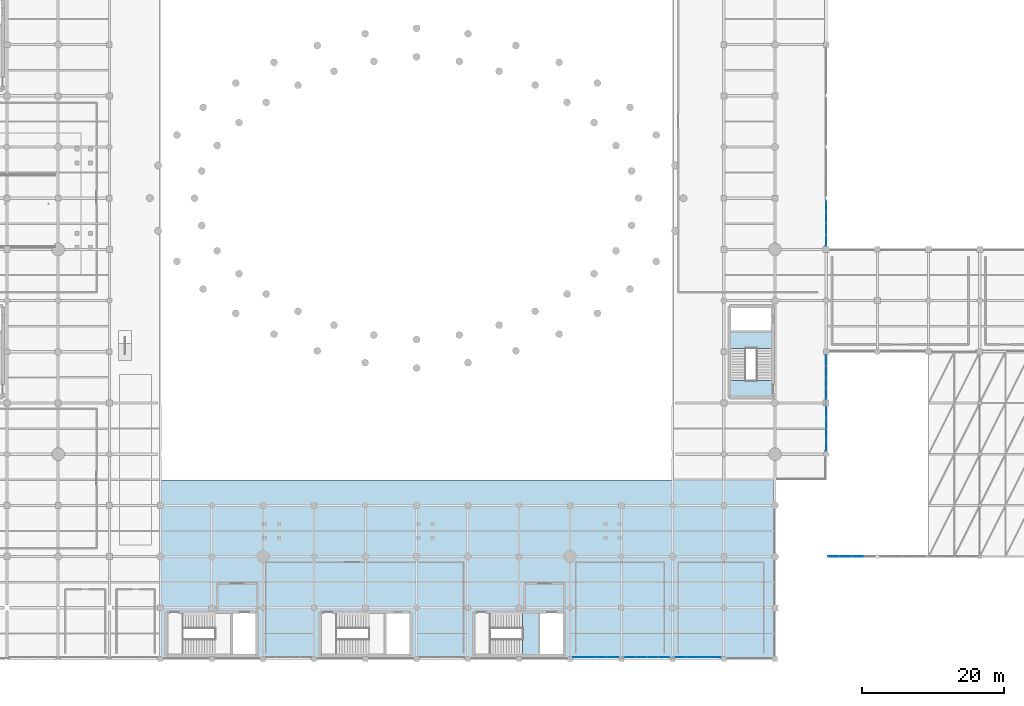
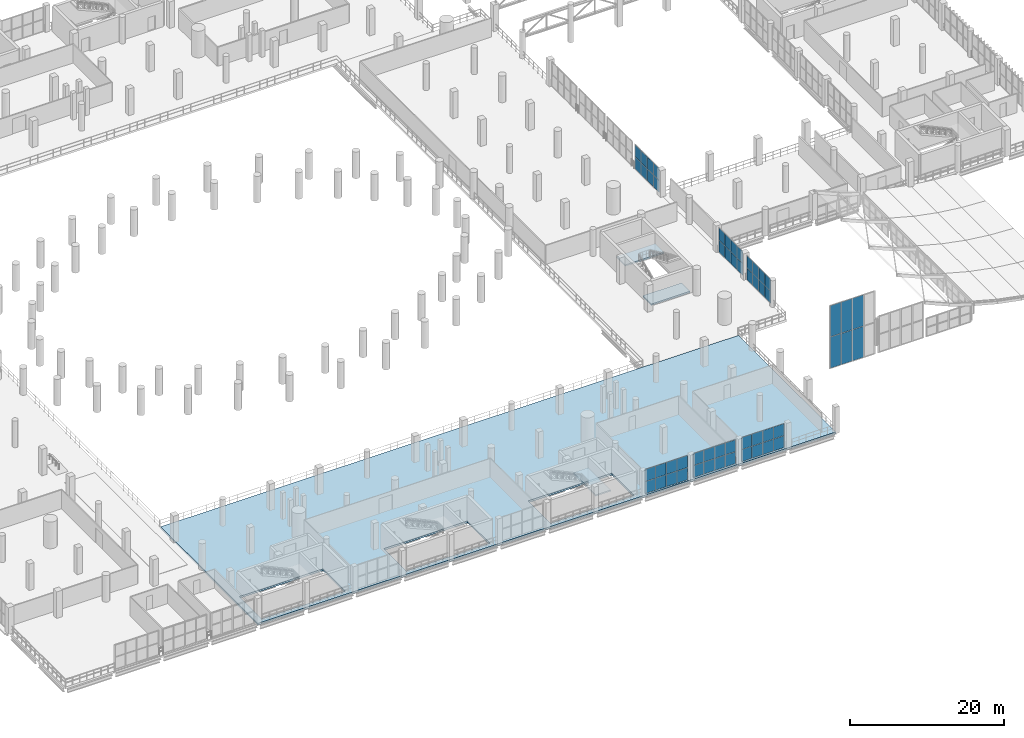
# One storey, part 120 of 153: 54 plates, 4 slabs, 9 elements without a shape of their own.
"""IFC4 building model written with IfcOpenShell, lengths in metres."""

from ifc_helpers import new_model, si_unit, direction, frame, origin, origin_2d, place, context, subcontext, project, spatial, polyline, rectangle, outline, extrude, material, layer, layer_set, type_object, element, aggregate, save


model = new_model("IFC4")

# Units and contexts
model_context = context("Model", 3, precision=1e-05, world=origin(), true_north=direction((0.0, 1.0)))
body_context = subcontext(model_context, "Body", "Model", "MODEL_VIEW")
ifc_project = project(units=[si_unit("LENGTHUNIT", "METRE"), si_unit("AREAUNIT", "SQUARE_METRE"), si_unit("VOLUMEUNIT", "CUBIC_METRE"), si_unit("PLANEANGLEUNIT", "RADIAN"), si_unit("MASSUNIT", "GRAM", prefix="KILO")], contexts=[model_context])

# Site, building, storey
site_placement = place(None, origin())
site = spatial("IfcSite", under=ifc_project, at=site_placement, CompositionType="ELEMENT")
building_placement = place(site_placement, origin())
building = spatial("IfcBuilding", under=site, at=building_placement, Name="Qandorah Velis Arena", CompositionType="ELEMENT")
storey_placement = place(building_placement, frame((0.0, 0.0, 5.39990234375)))
storey = spatial("IfcBuildingStorey", under=building, at=storey_placement, Name="L01", CompositionType="ELEMENT", Elevation=5.39990234375)

# Curtain wall, plates
ifc_material_1 = material(Name="Solar-control low-E double glazing", Category="glass")
curtain_wall_type_1 = type_object("IfcCurtainWallType", Name="ARC-CW-SYS14", PredefinedType="USERDEFINED", material=ifc_material_1)
curtain_wall_1_placement = place(storey_placement, origin())
curtain_wall_1 = element("IfcCurtainWall", 1, at=curtain_wall_1_placement, inside=storey, type_object=curtain_wall_type_1, Name="Unitised curtain wall L01-062", ObjectType="UNITISED CURTAIN WALL", PredefinedType="USERDEFINED")
ifc_layer_1 = layer(ifc_material_1, 0.030029296875)
ifc_layer_set_1 = layer_set([ifc_layer_1], Name="Solar-control low-E double glazing")
plate_type_1 = type_object("IfcPlateType", Name="ARC-CWP-GLZ30", PredefinedType="CURTAIN_PANEL", material=ifc_layer_set_1)
plate_1_placement = place(storey_placement, frame((101.99755859375, 0.25, 0.05517578125), z_axis=(0.0, 0.0, 1.0), x_axis=(1.0, 0.0, 0.0)))
plate_1 = element("IfcPlate", 2, at=plate_1_placement, type_object=plate_type_1, Name="CW14 panel 1.1", PredefinedType="CURTAIN_PANEL", context=body_context, shape_type="SweptSolid", body=[
    extrude(rectangle(XDim=1.534912109375, YDim=0.030029296875, at=origin_2d()), origin(), (0.0, 0.0, 1.0), 1.882568359375),
])
plate_2_placement = place(storey_placement, frame((101.99755859375, 0.25, 1.982421875), z_axis=(0.0, 0.0, 1.0), x_axis=(1.0, 0.0, 0.0)))
plate_2 = element("IfcPlate", 3, at=plate_2_placement, type_object=plate_type_1, Name="CW14 panel 1.2", PredefinedType="CURTAIN_PANEL", context=body_context, shape_type="SweptSolid", body=[
    extrude(rectangle(XDim=1.534912109375, YDim=0.030029296875, at=origin_2d()), origin(), (0.0, 0.0, 1.0), 1.882568359375),
])
plate_3_placement = place(storey_placement, frame((103.59375, 0.25, 0.05517578125), z_axis=(0.0, 0.0, 1.0), x_axis=(1.0, 0.0, 0.0)))
plate_3 = element("IfcPlate", 4, at=plate_3_placement, type_object=plate_type_1, Name="CW14 panel 2.1", PredefinedType="CURTAIN_PANEL", context=body_context, shape_type="SweptSolid", body=[
    extrude(rectangle(XDim=1.5673828125, YDim=0.030029296875, at=origin_2d()), origin(), (0.0, 0.0, 1.0), 1.882568359375),
])
plate_4_placement = place(storey_placement, frame((103.59375, 0.25, 1.982421875), z_axis=(0.0, 0.0, 1.0), x_axis=(1.0, 0.0, 0.0)))
plate_4 = element("IfcPlate", 5, at=plate_4_placement, type_object=plate_type_1, Name="CW14 panel 2.2", PredefinedType="CURTAIN_PANEL", context=body_context, shape_type="SweptSolid", body=[
    extrude(rectangle(XDim=1.5673828125, YDim=0.030029296875, at=origin_2d()), origin(), (0.0, 0.0, 1.0), 1.882568359375),
])
plate_5_placement = place(storey_placement, frame((105.206298828125, 0.25, 0.05517578125), z_axis=(0.0, 0.0, 1.0), x_axis=(1.0, 0.0, 0.0)))
plate_5 = element("IfcPlate", 6, at=plate_5_placement, type_object=plate_type_1, Name="CW14 panel 3.1", PredefinedType="CURTAIN_PANEL", context=body_context, shape_type="SweptSolid", body=[
    extrude(rectangle(XDim=1.5673828125, YDim=0.030029296875, at=origin_2d()), origin(), (0.0, 0.0, 1.0), 1.882568359375),
])
plate_6_placement = place(storey_placement, frame((105.206298828125, 0.25, 1.982421875), z_axis=(0.0, 0.0, 1.0), x_axis=(1.0, 0.0, 0.0)))
plate_6 = element("IfcPlate", 7, at=plate_6_placement, type_object=plate_type_1, Name="CW14 panel 3.2", PredefinedType="CURTAIN_PANEL", context=body_context, shape_type="SweptSolid", body=[
    extrude(rectangle(XDim=1.5673828125, YDim=0.030029296875, at=origin_2d()), origin(), (0.0, 0.0, 1.0), 1.882568359375),
])
plate_7_placement = place(storey_placement, frame((106.802490234375, 0.25, 0.05517578125), z_axis=(0.0, 0.0, 1.0), x_axis=(1.0, 0.0, 0.0)))
plate_7 = element("IfcPlate", 8, at=plate_7_placement, type_object=plate_type_1, Name="CW14 panel 4.1", PredefinedType="CURTAIN_PANEL", context=body_context, shape_type="SweptSolid", body=[
    extrude(rectangle(XDim=1.534912109375, YDim=0.030029296875, at=origin_2d()), origin(), (0.0, 0.0, 1.0), 1.882568359375),
])
plate_8_placement = place(storey_placement, frame((106.802490234375, 0.25, 1.982421875), z_axis=(0.0, 0.0, 1.0), x_axis=(1.0, 0.0, 0.0)))
plate_8 = element("IfcPlate", 9, at=plate_8_placement, type_object=plate_type_1, Name="CW14 panel 4.2", PredefinedType="CURTAIN_PANEL", context=body_context, shape_type="SweptSolid", body=[
    extrude(rectangle(XDim=1.534912109375, YDim=0.030029296875, at=origin_2d()), origin(), (0.0, 0.0, 1.0), 1.882568359375),
])
aggregate(curtain_wall_1, [plate_1, plate_2, plate_3, plate_4, plate_5, plate_6, plate_7, plate_8])

curtain_wall_type_2 = type_object("IfcCurtainWallType", Name="ARC-CW-SYS02", PredefinedType="USERDEFINED", material=ifc_material_1)
curtain_wall_2_placement = place(storey_placement, origin())
curtain_wall_2 = element("IfcCurtainWall", 10, at=curtain_wall_2_placement, inside=storey, type_object=curtain_wall_type_2, Name="Unitised curtain wall FOY-UP-1", ObjectType="UNITISED CURTAIN WALL", PredefinedType="USERDEFINED")
ifc_layer_2 = layer(ifc_material_1, 0.035888671875)
ifc_layer_set_2 = layer_set([ifc_layer_2], Name="Solar-control low-E double glazing")
plate_type_2 = type_object("IfcPlateType", Name="ARC-CWP-GLZ36", PredefinedType="CURTAIN_PANEL", material=ifc_layer_set_2)
plate_9_placement = place(storey_placement, frame((123.4794921875, 14.39990234375, -1.2548828125), z_axis=(0.0, 0.0, 1.0), x_axis=(1.0, 0.0, 0.0)))
plate_9 = element("IfcPlate", 11, at=plate_9_placement, type_object=plate_type_2, Name="CW02 panel 1.1", PredefinedType="CURTAIN_PANEL", context=body_context, shape_type="SweptSolid", body=[
    extrude(rectangle(XDim=1.589111328125, YDim=0.035888671875, at=origin_2d()), origin(), (0.0, 0.0, 1.0), 4.904296875),
])
plate_10_placement = place(storey_placement, frame((123.4794921875, 14.39990234375, 3.70458984375), z_axis=(0.0, 0.0, 1.0), x_axis=(1.0, 0.0, 0.0)))
plate_10 = element("IfcPlate", 12, at=plate_10_placement, type_object=plate_type_2, Name="CW02 panel 1.2", PredefinedType="CURTAIN_PANEL", context=body_context, shape_type="SweptSolid", body=[
    extrude(rectangle(XDim=1.589111328125, YDim=0.035888671875, at=origin_2d()), origin(), (0.0, 0.0, 1.0), 4.904296875),
])
plate_11_placement = place(storey_placement, frame((125.142333984375, 14.39990234375, -1.2548828125), z_axis=(0.0, 0.0, 1.0), x_axis=(1.0, 0.0, 0.0)))
plate_11 = element("IfcPlate", 13, at=plate_11_placement, type_object=plate_type_2, Name="CW02 panel 2.1", PredefinedType="CURTAIN_PANEL", context=body_context, shape_type="SweptSolid", body=[
    extrude(rectangle(XDim=1.626708984375, YDim=0.035888671875, at=origin_2d()), origin(), (0.0, 0.0, 1.0), 4.904296875),
])
plate_12_placement = place(storey_placement, frame((125.142333984375, 14.39990234375, 3.70458984375), z_axis=(0.0, 0.0, 1.0), x_axis=(1.0, 0.0, 0.0)))
plate_12 = element("IfcPlate", 14, at=plate_12_placement, type_object=plate_type_2, Name="CW02 panel 2.2", PredefinedType="CURTAIN_PANEL", context=body_context, shape_type="SweptSolid", body=[
    extrude(rectangle(XDim=1.626708984375, YDim=0.035888671875, at=origin_2d()), origin(), (0.0, 0.0, 1.0), 4.904296875),
])
plate_13_placement = place(storey_placement, frame((126.823974609375, 14.39990234375, -1.2548828125), z_axis=(0.0, 0.0, 1.0), x_axis=(1.0, 0.0, 0.0)))
plate_13 = element("IfcPlate", 15, at=plate_13_placement, type_object=plate_type_2, Name="CW02 panel 3.1", PredefinedType="CURTAIN_PANEL", context=body_context, shape_type="SweptSolid", body=[
    extrude(rectangle(XDim=1.626708984375, YDim=0.035888671875, at=origin_2d()), origin(), (0.0, 0.0, 1.0), 4.904296875),
])
plate_14_placement = place(storey_placement, frame((126.823974609375, 14.39990234375, 3.70458984375), z_axis=(0.0, 0.0, 1.0), x_axis=(1.0, 0.0, 0.0)))
plate_14 = element("IfcPlate", 16, at=plate_14_placement, type_object=plate_type_2, Name="CW02 panel 3.2", PredefinedType="CURTAIN_PANEL", context=body_context, shape_type="SweptSolid", body=[
    extrude(rectangle(XDim=1.626708984375, YDim=0.035888671875, at=origin_2d()), origin(), (0.0, 0.0, 1.0), 4.904296875),
])
aggregate(curtain_wall_2, [plate_9, plate_10, plate_11, plate_12, plate_13, plate_14])

curtain_wall_type_3 = type_object("IfcCurtainWallType", Name="ARC-CW-SYS13", PredefinedType="USERDEFINED", material=ifc_material_1)
curtain_wall_3_placement = place(storey_placement, origin())
curtain_wall_3 = element("IfcCurtainWall", 17, at=curtain_wall_3_placement, inside=storey, type_object=curtain_wall_type_3, Name="Unitised curtain wall L01-061", ObjectType="UNITISED CURTAIN WALL", PredefinedType="USERDEFINED")
plate_15_placement = place(storey_placement, frame((94.800048828125, 0.25, 0.06494140625), z_axis=(0.0, 0.0, 1.0), x_axis=(1.0, 0.0, 0.0)))
plate_15 = element("IfcPlate", 18, at=plate_15_placement, type_object=plate_type_2, Name="CW13 panel 1.1", PredefinedType="CURTAIN_PANEL", context=body_context, shape_type="SweptSolid", body=[
    extrude(rectangle(XDim=1.52001953125, YDim=0.035888671875, at=origin_2d()), origin(), (0.0, 0.0, 1.0), 1.867431640625),
])
plate_16_placement = place(storey_placement, frame((94.800048828125, 0.25, 1.98779296875), z_axis=(0.0, 0.0, 1.0), x_axis=(1.0, 0.0, 0.0)))
plate_16 = element("IfcPlate", 19, at=plate_16_placement, type_object=plate_type_2, Name="CW13 panel 1.2", PredefinedType="CURTAIN_PANEL", context=body_context, shape_type="SweptSolid", body=[
    extrude(rectangle(XDim=1.52001953125, YDim=0.035888671875, at=origin_2d()), origin(), (0.0, 0.0, 1.0), 1.867431640625),
])
plate_17_placement = place(storey_placement, frame((96.393798828125, 0.25, 0.06494140625), z_axis=(0.0, 0.0, 1.0), x_axis=(1.0, 0.0, 0.0)))
plate_17 = element("IfcPlate", 20, at=plate_17_placement, type_object=plate_type_2, Name="CW13 panel 2.1", PredefinedType="CURTAIN_PANEL", context=body_context, shape_type="SweptSolid", body=[
    extrude(rectangle(XDim=1.5576171875, YDim=0.035888671875, at=origin_2d()), origin(), (0.0, 0.0, 1.0), 1.867431640625),
])
plate_18_placement = place(storey_placement, frame((96.393798828125, 0.25, 1.98779296875), z_axis=(0.0, 0.0, 1.0), x_axis=(1.0, 0.0, 0.0)))
plate_18 = element("IfcPlate", 21, at=plate_18_placement, type_object=plate_type_2, Name="CW13 panel 2.2", PredefinedType="CURTAIN_PANEL", context=body_context, shape_type="SweptSolid", body=[
    extrude(rectangle(XDim=1.5576171875, YDim=0.035888671875, at=origin_2d()), origin(), (0.0, 0.0, 1.0), 1.867431640625),
])
plate_19_placement = place(storey_placement, frame((98.00634765625, 0.25, 0.06494140625), z_axis=(0.0, 0.0, 1.0), x_axis=(1.0, 0.0, 0.0)))
plate_19 = element("IfcPlate", 22, at=plate_19_placement, type_object=plate_type_2, Name="CW13 panel 3.1", PredefinedType="CURTAIN_PANEL", context=body_context, shape_type="SweptSolid", body=[
    extrude(rectangle(XDim=1.5576171875, YDim=0.035888671875, at=origin_2d()), origin(), (0.0, 0.0, 1.0), 1.867431640625),
])
plate_20_placement = place(storey_placement, frame((98.00634765625, 0.25, 1.98779296875), z_axis=(0.0, 0.0, 1.0), x_axis=(1.0, 0.0, 0.0)))
plate_20 = element("IfcPlate", 23, at=plate_20_placement, type_object=plate_type_2, Name="CW13 panel 3.2", PredefinedType="CURTAIN_PANEL", context=body_context, shape_type="SweptSolid", body=[
    extrude(rectangle(XDim=1.5576171875, YDim=0.035888671875, at=origin_2d()), origin(), (0.0, 0.0, 1.0), 1.867431640625),
])
plate_21_placement = place(storey_placement, frame((99.60009765625, 0.25, 0.06494140625), z_axis=(0.0, 0.0, 1.0), x_axis=(1.0, 0.0, 0.0)))
plate_21 = element("IfcPlate", 24, at=plate_21_placement, type_object=plate_type_2, Name="CW13 panel 4.1", PredefinedType="CURTAIN_PANEL", context=body_context, shape_type="SweptSolid", body=[
    extrude(rectangle(XDim=1.52001953125, YDim=0.035888671875, at=origin_2d()), origin(), (0.0, 0.0, 1.0), 1.867431640625),
])
plate_22_placement = place(storey_placement, frame((99.60009765625, 0.25, 1.98779296875), z_axis=(0.0, 0.0, 1.0), x_axis=(1.0, 0.0, 0.0)))
plate_22 = element("IfcPlate", 25, at=plate_22_placement, type_object=plate_type_2, Name="CW13 panel 4.2", PredefinedType="CURTAIN_PANEL", context=body_context, shape_type="SweptSolid", body=[
    extrude(rectangle(XDim=1.52001953125, YDim=0.035888671875, at=origin_2d()), origin(), (0.0, 0.0, 1.0), 1.867431640625),
])
aggregate(curtain_wall_3, [plate_15, plate_16, plate_17, plate_18, plate_19, plate_20, plate_21, plate_22])

curtain_wall_type_4 = type_object("IfcCurtainWallType", Name="ARC-CW-SYS22", PredefinedType="USERDEFINED", material=ifc_material_1)
curtain_wall_4_placement = place(storey_placement, origin())
curtain_wall_4 = element("IfcCurtainWall", 26, at=curtain_wall_4_placement, inside=storey, type_object=curtain_wall_type_4, Name="Unitised curtain wall L01-166", ObjectType="UNITISED CURTAIN WALL", PredefinedType="USERDEFINED")
plate_23_placement = place(storey_placement, frame((122.39990234375, 37.2568359375, 0.05517578125), z_axis=(0.0, 0.0, 1.0), x_axis=(0.0, 1.0, 0.0)))
plate_23 = element("IfcPlate", 27, at=plate_23_placement, type_object=plate_type_2, Name="CW22 panel 1.1", PredefinedType="CURTAIN_PANEL", context=body_context, shape_type="SweptSolid", body=[
    extrude(rectangle(XDim=1.503662109375, YDim=0.035888671875, at=origin_2d()), origin(), (0.0, 0.0, 1.0), 1.882568359375),
])
plate_24_placement = place(storey_placement, frame((122.39990234375, 37.2568359375, 1.982421875), z_axis=(0.0, 0.0, 1.0), x_axis=(0.0, 1.0, 0.0)))
plate_24 = element("IfcPlate", 28, at=plate_24_placement, type_object=plate_type_2, Name="CW22 panel 1.2", PredefinedType="CURTAIN_PANEL", context=body_context, shape_type="SweptSolid", body=[
    extrude(rectangle(XDim=1.503662109375, YDim=0.035888671875, at=origin_2d()), origin(), (0.0, 0.0, 1.0), 1.882568359375),
])
plate_25_placement = place(storey_placement, frame((122.39990234375, 38.82177734375, 0.05517578125), z_axis=(0.0, 0.0, 1.0), x_axis=(0.0, 1.0, 0.0)))
plate_25 = element("IfcPlate", 29, at=plate_25_placement, type_object=plate_type_2, Name="CW22 panel 2.1", PredefinedType="CURTAIN_PANEL", context=body_context, shape_type="SweptSolid", body=[
    extrude(rectangle(XDim=1.5361328125, YDim=0.035888671875, at=origin_2d()), origin(), (0.0, 0.0, 1.0), 1.882568359375),
])
plate_26_placement = place(storey_placement, frame((122.39990234375, 38.82177734375, 1.982421875), z_axis=(0.0, 0.0, 1.0), x_axis=(0.0, 1.0, 0.0)))
plate_26 = element("IfcPlate", 30, at=plate_26_placement, type_object=plate_type_2, Name="CW22 panel 2.2", PredefinedType="CURTAIN_PANEL", context=body_context, shape_type="SweptSolid", body=[
    extrude(rectangle(XDim=1.5361328125, YDim=0.035888671875, at=origin_2d()), origin(), (0.0, 0.0, 1.0), 1.882568359375),
])
plate_27_placement = place(storey_placement, frame((122.39990234375, 40.403076171875, 0.05517578125), z_axis=(0.0, 0.0, 1.0), x_axis=(0.0, 1.0, 0.0)))
plate_27 = element("IfcPlate", 31, at=plate_27_placement, type_object=plate_type_2, Name="CW22 panel 3.1", PredefinedType="CURTAIN_PANEL", context=body_context, shape_type="SweptSolid", body=[
    extrude(rectangle(XDim=1.5361328125, YDim=0.035888671875, at=origin_2d()), origin(), (0.0, 0.0, 1.0), 1.882568359375),
])
plate_28_placement = place(storey_placement, frame((122.39990234375, 40.403076171875, 1.982421875), z_axis=(0.0, 0.0, 1.0), x_axis=(0.0, 1.0, 0.0)))
plate_28 = element("IfcPlate", 32, at=plate_28_placement, type_object=plate_type_2, Name="CW22 panel 3.2", PredefinedType="CURTAIN_PANEL", context=body_context, shape_type="SweptSolid", body=[
    extrude(rectangle(XDim=1.5361328125, YDim=0.035888671875, at=origin_2d()), origin(), (0.0, 0.0, 1.0), 1.882568359375),
])
plate_29_placement = place(storey_placement, frame((122.39990234375, 41.968017578125, 0.05517578125), z_axis=(0.0, 0.0, 1.0), x_axis=(0.0, 1.0, 0.0)))
plate_29 = element("IfcPlate", 33, at=plate_29_placement, type_object=plate_type_2, Name="CW22 panel 4.1", PredefinedType="CURTAIN_PANEL", context=body_context, shape_type="SweptSolid", body=[
    extrude(rectangle(XDim=1.503662109375, YDim=0.035888671875, at=origin_2d()), origin(), (0.0, 0.0, 1.0), 1.882568359375),
])
plate_30_placement = place(storey_placement, frame((122.39990234375, 41.968017578125, 1.982421875), z_axis=(0.0, 0.0, 1.0), x_axis=(0.0, 1.0, 0.0)))
plate_30 = element("IfcPlate", 34, at=plate_30_placement, type_object=plate_type_2, Name="CW22 panel 4.2", PredefinedType="CURTAIN_PANEL", context=body_context, shape_type="SweptSolid", body=[
    extrude(rectangle(XDim=1.503662109375, YDim=0.035888671875, at=origin_2d()), origin(), (0.0, 0.0, 1.0), 1.882568359375),
])
aggregate(curtain_wall_4, [plate_23, plate_24, plate_25, plate_26, plate_27, plate_28, plate_29, plate_30])

curtain_wall_type_5 = type_object("IfcCurtainWallType", Name="ARC-CW-SYS12", PredefinedType="USERDEFINED", material=ifc_material_1)
curtain_wall_5_placement = place(storey_placement, origin())
curtain_wall_5 = element("IfcCurtainWall", 35, at=curtain_wall_5_placement, inside=storey, type_object=curtain_wall_type_5, Name="Unitised curtain wall L01-060", ObjectType="UNITISED CURTAIN WALL", PredefinedType="USERDEFINED")
ifc_layer_3 = layer(ifc_material_1, 0.0439453125)
ifc_layer_set_3 = layer_set([ifc_layer_3], Name="Solar-control low-E double glazing")
plate_type_3 = type_object("IfcPlateType", Name="ARC-CWP-SPN44", PredefinedType="CURTAIN_PANEL", material=ifc_layer_set_3)
plate_31_placement = place(storey_placement, frame((87.594970703125, 0.25, 0.045166015625), z_axis=(0.0, 0.0, 1.0), x_axis=(1.0, 0.0, 0.0)))
plate_31 = element("IfcPlate", 36, at=plate_31_placement, type_object=plate_type_3, Name="CW12 panel 1.1", PredefinedType="CURTAIN_PANEL", context=body_context, shape_type="SweptSolid", body=[
    extrude(rectangle(XDim=1.550048828125, YDim=0.0439453125, at=origin_2d()), origin(), (0.0, 0.0, 1.0), 1.8974609375),
])
plate_32_placement = place(storey_placement, frame((87.594970703125, 0.25, 1.9775390625), z_axis=(0.0, 0.0, 1.0), x_axis=(1.0, 0.0, 0.0)))
plate_32 = element("IfcPlate", 37, at=plate_32_placement, type_object=plate_type_3, Name="CW12 panel 1.2", PredefinedType="CURTAIN_PANEL", context=body_context, shape_type="SweptSolid", body=[
    extrude(rectangle(XDim=1.550048828125, YDim=0.0439453125, at=origin_2d()), origin(), (0.0, 0.0, 1.0), 1.8974609375),
])
plate_33_placement = place(storey_placement, frame((89.19384765625, 0.25, 0.045166015625), z_axis=(0.0, 0.0, 1.0), x_axis=(1.0, 0.0, 0.0)))
plate_33 = element("IfcPlate", 38, at=plate_33_placement, type_object=plate_type_3, Name="CW12 panel 2.1", PredefinedType="CURTAIN_PANEL", context=body_context, shape_type="SweptSolid", body=[
    extrude(rectangle(XDim=1.577392578125, YDim=0.0439453125, at=origin_2d()), origin(), (0.0, 0.0, 1.0), 1.8974609375),
])
plate_34_placement = place(storey_placement, frame((89.19384765625, 0.25, 1.9775390625), z_axis=(0.0, 0.0, 1.0), x_axis=(1.0, 0.0, 0.0)))
plate_34 = element("IfcPlate", 39, at=plate_34_placement, type_object=plate_type_3, Name="CW12 panel 2.2", PredefinedType="CURTAIN_PANEL", context=body_context, shape_type="SweptSolid", body=[
    extrude(rectangle(XDim=1.577392578125, YDim=0.0439453125, at=origin_2d()), origin(), (0.0, 0.0, 1.0), 1.8974609375),
])
plate_35_placement = place(storey_placement, frame((90.80615234375, 0.25, 0.045166015625), z_axis=(0.0, 0.0, 1.0), x_axis=(1.0, 0.0, 0.0)))
plate_35 = element("IfcPlate", 40, at=plate_35_placement, type_object=plate_type_3, Name="CW12 panel 3.1", PredefinedType="CURTAIN_PANEL", context=body_context, shape_type="SweptSolid", body=[
    extrude(rectangle(XDim=1.577392578125, YDim=0.0439453125, at=origin_2d()), origin(), (0.0, 0.0, 1.0), 1.8974609375),
])
plate_36_placement = place(storey_placement, frame((90.80615234375, 0.25, 1.9775390625), z_axis=(0.0, 0.0, 1.0), x_axis=(1.0, 0.0, 0.0)))
plate_36 = element("IfcPlate", 41, at=plate_36_placement, type_object=plate_type_3, Name="CW12 panel 3.2", PredefinedType="CURTAIN_PANEL", context=body_context, shape_type="SweptSolid", body=[
    extrude(rectangle(XDim=1.577392578125, YDim=0.0439453125, at=origin_2d()), origin(), (0.0, 0.0, 1.0), 1.8974609375),
])
plate_37_placement = place(storey_placement, frame((92.405029296875, 0.25, 0.045166015625), z_axis=(0.0, 0.0, 1.0), x_axis=(1.0, 0.0, 0.0)))
plate_37 = element("IfcPlate", 42, at=plate_37_placement, type_object=plate_type_3, Name="CW12 panel 4.1", PredefinedType="CURTAIN_PANEL", context=body_context, shape_type="SweptSolid", body=[
    extrude(rectangle(XDim=1.550048828125, YDim=0.0439453125, at=origin_2d()), origin(), (0.0, 0.0, 1.0), 1.8974609375),
])
plate_38_placement = place(storey_placement, frame((92.405029296875, 0.25, 1.9775390625), z_axis=(0.0, 0.0, 1.0), x_axis=(1.0, 0.0, 0.0)))
plate_38 = element("IfcPlate", 43, at=plate_38_placement, type_object=plate_type_3, Name="CW12 panel 4.2", PredefinedType="CURTAIN_PANEL", context=body_context, shape_type="SweptSolid", body=[
    extrude(rectangle(XDim=1.550048828125, YDim=0.0439453125, at=origin_2d()), origin(), (0.0, 0.0, 1.0), 1.8974609375),
])
aggregate(curtain_wall_5, [plate_31, plate_32, plate_33, plate_34, plate_35, plate_36, plate_37, plate_38])

curtain_wall_type_6 = type_object("IfcCurtainWallType", Name="ARC-CW-SYS09", PredefinedType="USERDEFINED", material=ifc_material_1)
curtain_wall_6_placement = place(storey_placement, origin())
curtain_wall_6 = element("IfcCurtainWall", 44, at=curtain_wall_6_placement, inside=storey, type_object=curtain_wall_type_6, Name="Unitised curtain wall L01-105", ObjectType="UNITISED CURTAIN WALL", PredefinedType="USERDEFINED")
plate_39_placement = place(storey_placement, frame((122.39990234375, 58.875, 0.06494140625), z_axis=(0.0, 0.0, 1.0), x_axis=(0.0, 1.0, 0.0)))
plate_39 = element("IfcPlate", 45, at=plate_39_placement, type_object=plate_type_3, Name="CW09 panel 1.1", PredefinedType="CURTAIN_PANEL", context=body_context, shape_type="SweptSolid", body=[
    extrude(rectangle(XDim=1.52001953125, YDim=0.0439453125, at=origin_2d()), origin(), (0.0, 0.0, 1.0), 1.867431640625),
])
plate_40_placement = place(storey_placement, frame((122.39990234375, 58.875, 1.98779296875), z_axis=(0.0, 0.0, 1.0), x_axis=(0.0, 1.0, 0.0)))
plate_40 = element("IfcPlate", 46, at=plate_40_placement, type_object=plate_type_3, Name="CW09 panel 1.2", PredefinedType="CURTAIN_PANEL", context=body_context, shape_type="SweptSolid", body=[
    extrude(rectangle(XDim=1.52001953125, YDim=0.0439453125, at=origin_2d()), origin(), (0.0, 0.0, 1.0), 1.867431640625),
])
plate_41_placement = place(storey_placement, frame((122.39990234375, 60.46875, 0.06494140625), z_axis=(0.0, 0.0, 1.0), x_axis=(0.0, 1.0, 0.0)))
plate_41 = element("IfcPlate", 47, at=plate_41_placement, type_object=plate_type_3, Name="CW09 panel 2.1", PredefinedType="CURTAIN_PANEL", context=body_context, shape_type="SweptSolid", body=[
    extrude(rectangle(XDim=1.5576171875, YDim=0.0439453125, at=origin_2d()), origin(), (0.0, 0.0, 1.0), 1.867431640625),
])
plate_42_placement = place(storey_placement, frame((122.39990234375, 60.46875, 1.98779296875), z_axis=(0.0, 0.0, 1.0), x_axis=(0.0, 1.0, 0.0)))
plate_42 = element("IfcPlate", 48, at=plate_42_placement, type_object=plate_type_3, Name="CW09 panel 2.2", PredefinedType="CURTAIN_PANEL", context=body_context, shape_type="SweptSolid", body=[
    extrude(rectangle(XDim=1.5576171875, YDim=0.0439453125, at=origin_2d()), origin(), (0.0, 0.0, 1.0), 1.867431640625),
])
plate_43_placement = place(storey_placement, frame((122.39990234375, 62.081298828125, 0.06494140625), z_axis=(0.0, 0.0, 1.0), x_axis=(0.0, 1.0, 0.0)))
plate_43 = element("IfcPlate", 49, at=plate_43_placement, type_object=plate_type_3, Name="CW09 panel 3.1", PredefinedType="CURTAIN_PANEL", context=body_context, shape_type="SweptSolid", body=[
    extrude(rectangle(XDim=1.5576171875, YDim=0.0439453125, at=origin_2d()), origin(), (0.0, 0.0, 1.0), 1.867431640625),
])
plate_44_placement = place(storey_placement, frame((122.39990234375, 62.081298828125, 1.98779296875), z_axis=(0.0, 0.0, 1.0), x_axis=(0.0, 1.0, 0.0)))
plate_44 = element("IfcPlate", 50, at=plate_44_placement, type_object=plate_type_3, Name="CW09 panel 3.2", PredefinedType="CURTAIN_PANEL", context=body_context, shape_type="SweptSolid", body=[
    extrude(rectangle(XDim=1.5576171875, YDim=0.0439453125, at=origin_2d()), origin(), (0.0, 0.0, 1.0), 1.867431640625),
])
plate_45_placement = place(storey_placement, frame((122.39990234375, 63.675048828125, 0.06494140625), z_axis=(0.0, 0.0, 1.0), x_axis=(0.0, 1.0, 0.0)))
plate_45 = element("IfcPlate", 51, at=plate_45_placement, type_object=plate_type_3, Name="CW09 panel 4.1", PredefinedType="CURTAIN_PANEL", context=body_context, shape_type="SweptSolid", body=[
    extrude(rectangle(XDim=1.52001953125, YDim=0.0439453125, at=origin_2d()), origin(), (0.0, 0.0, 1.0), 1.867431640625),
])
plate_46_placement = place(storey_placement, frame((122.39990234375, 63.675048828125, 1.98779296875), z_axis=(0.0, 0.0, 1.0), x_axis=(0.0, 1.0, 0.0)))
plate_46 = element("IfcPlate", 52, at=plate_46_placement, type_object=plate_type_3, Name="CW09 panel 4.2", PredefinedType="CURTAIN_PANEL", context=body_context, shape_type="SweptSolid", body=[
    extrude(rectangle(XDim=1.52001953125, YDim=0.0439453125, at=origin_2d()), origin(), (0.0, 0.0, 1.0), 1.867431640625),
])
aggregate(curtain_wall_6, [plate_39, plate_40, plate_41, plate_42, plate_43, plate_44, plate_45, plate_46])

curtain_wall_type_7 = type_object("IfcCurtainWallType", Name="ARC-CW-SYS21", PredefinedType="USERDEFINED", material=ifc_material_1)
curtain_wall_7_placement = place(storey_placement, origin())
curtain_wall_7 = element("IfcCurtainWall", 53, at=curtain_wall_7_placement, inside=storey, type_object=curtain_wall_type_7, Name="Unitised curtain wall L01-165", ObjectType="UNITISED CURTAIN WALL", PredefinedType="USERDEFINED")
plate_47_placement = place(storey_placement, frame((122.39990234375, 30.034423828125, 0.06494140625), z_axis=(0.0, 0.0, 1.0), x_axis=(0.0, 1.0, 0.0)))
plate_47 = element("IfcPlate", 54, at=plate_47_placement, type_object=plate_type_3, Name="CW21 panel 1.1", PredefinedType="CURTAIN_PANEL", context=body_context, shape_type="SweptSolid", body=[
    extrude(rectangle(XDim=1.48876953125, YDim=0.0439453125, at=origin_2d()), origin(), (0.0, 0.0, 1.0), 1.867431640625),
])
plate_48_placement = place(storey_placement, frame((122.39990234375, 30.034423828125, 1.98779296875), z_axis=(0.0, 0.0, 1.0), x_axis=(0.0, 1.0, 0.0)))
plate_48 = element("IfcPlate", 55, at=plate_48_placement, type_object=plate_type_3, Name="CW21 panel 1.2", PredefinedType="CURTAIN_PANEL", context=body_context, shape_type="SweptSolid", body=[
    extrude(rectangle(XDim=1.48876953125, YDim=0.0439453125, at=origin_2d()), origin(), (0.0, 0.0, 1.0), 1.867431640625),
])
plate_49_placement = place(storey_placement, frame((122.39990234375, 31.596923828125, 0.06494140625), z_axis=(0.0, 0.0, 1.0), x_axis=(0.0, 1.0, 0.0)))
plate_49 = element("IfcPlate", 56, at=plate_49_placement, type_object=plate_type_3, Name="CW21 panel 2.1", PredefinedType="CURTAIN_PANEL", context=body_context, shape_type="SweptSolid", body=[
    extrude(rectangle(XDim=1.526123046875, YDim=0.0439453125, at=origin_2d()), origin(), (0.0, 0.0, 1.0), 1.867431640625),
])
plate_50_placement = place(storey_placement, frame((122.39990234375, 31.596923828125, 1.98779296875), z_axis=(0.0, 0.0, 1.0), x_axis=(0.0, 1.0, 0.0)))
plate_50 = element("IfcPlate", 57, at=plate_50_placement, type_object=plate_type_3, Name="CW21 panel 2.2", PredefinedType="CURTAIN_PANEL", context=body_context, shape_type="SweptSolid", body=[
    extrude(rectangle(XDim=1.526123046875, YDim=0.0439453125, at=origin_2d()), origin(), (0.0, 0.0, 1.0), 1.867431640625),
])
plate_51_placement = place(storey_placement, frame((122.39990234375, 33.17822265625, 0.06494140625), z_axis=(0.0, 0.0, 1.0), x_axis=(0.0, 1.0, 0.0)))
plate_51 = element("IfcPlate", 58, at=plate_51_placement, type_object=plate_type_3, Name="CW21 panel 3.1", PredefinedType="CURTAIN_PANEL", context=body_context, shape_type="SweptSolid", body=[
    extrude(rectangle(XDim=1.526123046875, YDim=0.0439453125, at=origin_2d()), origin(), (0.0, 0.0, 1.0), 1.867431640625),
])
plate_52_placement = place(storey_placement, frame((122.39990234375, 33.17822265625, 1.98779296875), z_axis=(0.0, 0.0, 1.0), x_axis=(0.0, 1.0, 0.0)))
plate_52 = element("IfcPlate", 59, at=plate_52_placement, type_object=plate_type_3, Name="CW21 panel 3.2", PredefinedType="CURTAIN_PANEL", context=body_context, shape_type="SweptSolid", body=[
    extrude(rectangle(XDim=1.526123046875, YDim=0.0439453125, at=origin_2d()), origin(), (0.0, 0.0, 1.0), 1.867431640625),
])
plate_53_placement = place(storey_placement, frame((122.39990234375, 34.74072265625, 0.06494140625), z_axis=(0.0, 0.0, 1.0), x_axis=(0.0, 1.0, 0.0)))
plate_53 = element("IfcPlate", 60, at=plate_53_placement, type_object=plate_type_3, Name="CW21 panel 4.1", PredefinedType="CURTAIN_PANEL", context=body_context, shape_type="SweptSolid", body=[
    extrude(rectangle(XDim=1.48876953125, YDim=0.0439453125, at=origin_2d()), origin(), (0.0, 0.0, 1.0), 1.867431640625),
])
plate_54_placement = place(storey_placement, frame((122.39990234375, 34.74072265625, 1.98779296875), z_axis=(0.0, 0.0, 1.0), x_axis=(0.0, 1.0, 0.0)))
plate_54 = element("IfcPlate", 61, at=plate_54_placement, type_object=plate_type_3, Name="CW21 panel 4.2", PredefinedType="CURTAIN_PANEL", context=body_context, shape_type="SweptSolid", body=[
    extrude(rectangle(XDim=1.48876953125, YDim=0.0439453125, at=origin_2d()), origin(), (0.0, 0.0, 1.0), 1.867431640625),
])
aggregate(curtain_wall_7, [plate_47, plate_48, plate_49, plate_50, plate_51, plate_52, plate_53, plate_54])

# Slab
ifc_material_2 = material(Name="Concrete C40/50", Category="concrete")
ifc_layer_4 = layer(ifc_material_2, 0.300048828125)
ifc_layer_set_4 = layer_set([ifc_layer_4], Name="Concrete C40/50")
slab_type_1 = type_object("IfcSlabType", Name="STR-SLB-FL300", PredefinedType="FLOOR", material=ifc_layer_set_4)
slab_1_placement = place(storey_placement, frame((0.0, 0.0, -0.2998046875)))
element("IfcSlab", 62, at=slab_1_placement, inside=storey, type_object=slab_type_1, Name="Structural floor slab L01_SOUTH_CLUB", PredefinedType="FLOOR", context=body_context, shape_type="SweptSolid", body=[
    extrude(outline(polyline([(28.800048828125, 25.199951171875), (115.199951171875, 25.199951171875), (115.199951171875, 0.0), (28.800048828125, 0.0), (28.800048828125, 25.199951171875)]), holes=[polyline([(42.2548828125, 6.455078125), (31.955078125, 6.455078125), (29.7451171875, 6.455078125), (29.7451171875, 0.64501953125), (31.955078125, 0.64501953125), (42.2548828125, 0.64501953125), (42.2548828125, 6.455078125)]), polyline([(85.455078125, 0.64501953125), (85.455078125, 6.455078125), (75.155029296875, 6.455078125), (72.945068359375, 6.455078125), (72.945068359375, 0.64501953125), (75.155029296875, 0.64501953125), (85.455078125, 0.64501953125)]), polyline([(51.344970703125, 0.64501953125), (53.554931640625, 0.64501953125), (63.85498046875, 0.64501953125), (63.85498046875, 6.455078125), (53.554931640625, 6.455078125), (51.344970703125, 6.455078125), (51.344970703125, 6.455078125), (51.344970703125, 0.64501953125), (51.344970703125, 0.64501953125)])]), origin(), (0.0, 0.0, 1.0), 0.2998046875),
])

# Stair, slab
stair_type = type_object("IfcStairType", Name="ARC-ST-CORE42", PredefinedType="HALF_TURN_STAIR", material=ifc_material_2)
stair_1_placement = place(storey_placement, origin())
stair_1 = element("IfcStair", 63, at=stair_1_placement, inside=storey, type_object=stair_type, Name="Protected exit stair ST2 (L01)", PredefinedType="HALF_TURN_STAIR")
ifc_layer_5 = layer(ifc_material_2, 0.219970703125)
ifc_layer_set_5 = layer_set([ifc_layer_5], Name="Concrete C40/50")
slab_type_2 = type_object("IfcSlabType", Name="STR-SLB-LND220", PredefinedType="LANDING", material=ifc_layer_set_5)
slab_2_placement = place(storey_placement, frame((0.0, 0.0, 1.880126953125)))
slab_2 = element("IfcSlab", 64, at=slab_2_placement, type_object=slab_type_2, Name="ST2 landing 1", PredefinedType="LANDING", context=body_context, shape_type="SweptSolid", body=[
    extrude(outline(polyline([(79.68603515625, 0.64990234375), (81.93603515625, 0.64990234375), (81.93603515625, 6.449951171875), (79.68603515625, 6.449951171875), (79.68603515625, 0.64990234375)])), origin(), (0.0, 0.0, 1.0), 0.219970703125),
])
aggregate(stair_1, [slab_2])

# Slab
slab_3_placement = place(storey_placement, frame((0.0, 0.0, -0.219970703125)))
element("IfcSlab", 65, at=slab_3_placement, inside=storey, type_object=slab_type_2, Name="Stair ST11 storey landing slab L01", PredefinedType="LANDING", context=body_context, shape_type="SweptSolid", body=[
    extrude(outline(polyline([(108.949951171875, 36.949951171875), (114.75, 36.949951171875), (114.75, 39.14990234375), (108.949951171875, 39.14990234375), (108.949951171875, 36.949951171875)])), origin(), (0.0, 0.0, 1.0), 0.219970703125),
])

# Stair, slab
stair_2_placement = place(storey_placement, origin())
stair_2 = element("IfcStair", 66, at=stair_2_placement, inside=storey, type_object=stair_type, Name="Protected exit stair ST11 (L01)", PredefinedType="HALF_TURN_STAIR")
slab_4_placement = place(storey_placement, frame((0.0, 0.0, 1.880126953125)))
slab_4 = element("IfcSlab", 67, at=slab_4_placement, type_object=slab_type_2, Name="ST11 landing 1", PredefinedType="LANDING", context=body_context, shape_type="SweptSolid", body=[
    extrude(outline(polyline([(108.949951171875, 43.68603515625), (114.75, 43.68603515625), (114.75, 45.93603515625), (108.949951171875, 45.93603515625), (108.949951171875, 43.68603515625)])), origin(), (0.0, 0.0, 1.0), 0.219970703125),
])
aggregate(stair_2, [slab_4])

save(model, "model.ifc")
